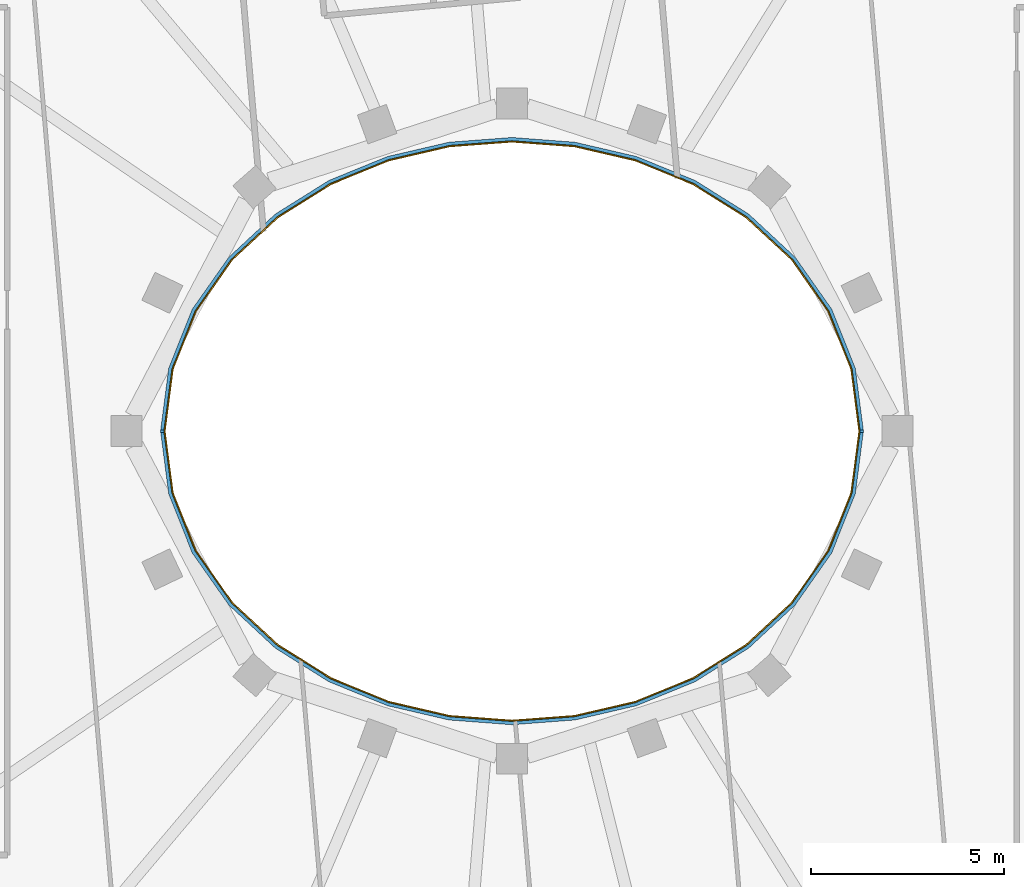
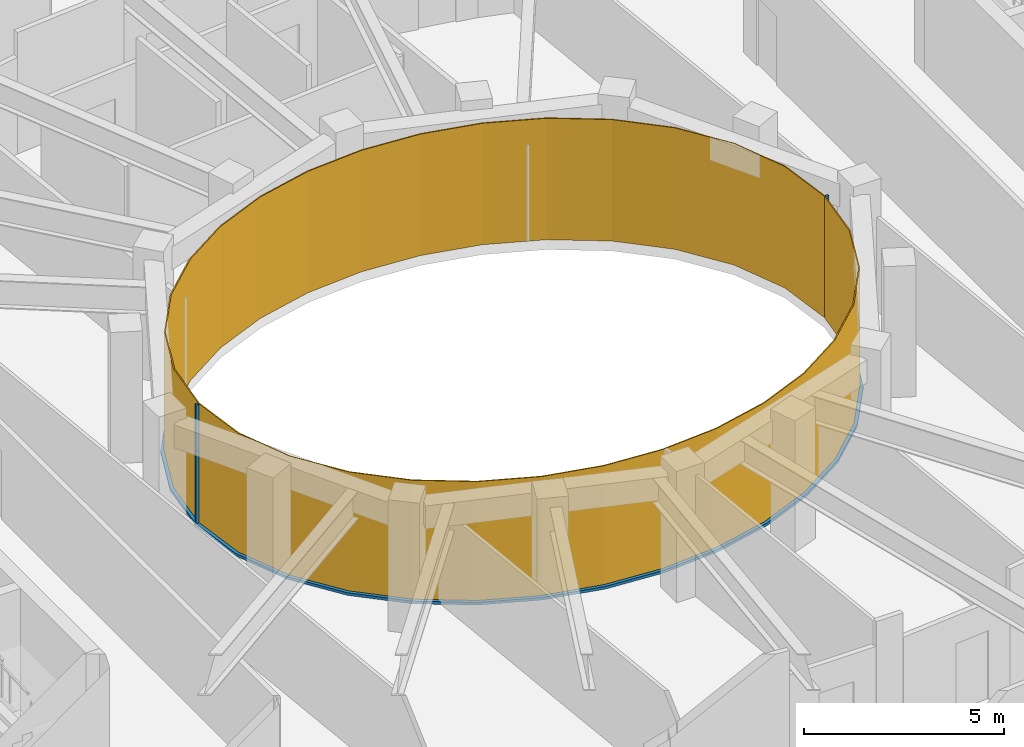
# One storey, part 9 of 14: 4 members, 2 curtain walls.
"""IFC4 building model written with IfcOpenShell, lengths in metres."""

from ifc_helpers import new_model, si_unit, direction, frame, origin, origin_2d, place, context, subcontext, project, spatial, polyline, rectangle, outline, extrude, material, layer, layer_set, material_profile, profile_set, type_object, element, aggregate, save


model = new_model("IFC4")

# Units and contexts
model_context = context("Model", 3, precision=1e-05, world=origin(), true_north=direction((0.0, 1.0)))
body_context = subcontext(model_context, "Body", "Model", "MODEL_VIEW")
ifc_project = project(units=[si_unit("LENGTHUNIT", "METRE"), si_unit("AREAUNIT", "SQUARE_METRE"), si_unit("VOLUMEUNIT", "CUBIC_METRE"), si_unit("PLANEANGLEUNIT", "RADIAN"), si_unit("MASSUNIT", "GRAM", prefix="KILO")], contexts=[model_context])

# Member
ifc_material_1 = material(Name="Steel S355 fire-resisting frame", Category="steel")
ifc_material_profile = material_profile(ifc_material_1, rectangle(XDim=0.090087890625, YDim=0.06005859375, at=origin_2d()), Name="90x60")
ifc_profile_set = profile_set([ifc_material_profile], Name="Steel S355 fire-resisting frame")
member_type_1 = type_object("IfcMemberType", Name="ENV-MULLION-W-90", PredefinedType="MULLION", material=ifc_profile_set)
site_placement = place(None, origin())
building_placement = place(site_placement, origin())
storey_placement = place(building_placement, frame((0.0, 0.0, 339.0)))
member_1_placement = place(storey_placement, frame((9.076904296875, 0.0, 0.0), z_axis=(0.0, 0.0, 1.0), x_axis=(1.0, 0.0, 0.0)))
member_1 = element("IfcMember", 1, at=member_1_placement, type_object=member_type_1, Name="Mullion W well vertex 01", PredefinedType="MULLION", context=body_context, shape_type="SweptSolid", body=[
    extrude(rectangle(XDim=0.090087890625, YDim=0.06005859375, at=origin_2d()), origin(), (0.0, 0.0, 1.0), 3.699951171875),
])

member_2_placement = place(storey_placement, frame((-9.076904296875, 0.0, 0.0), z_axis=(0.0, 0.0, 1.0), x_axis=(-1.0, 0.0, 0.0)))
member_2 = element("IfcMember", 2, at=member_2_placement, type_object=member_type_1, Name="Mullion W well vertex 17", PredefinedType="MULLION", context=body_context, shape_type="SweptSolid", body=[
    extrude(rectangle(XDim=0.090087890625, YDim=0.06005859375, at=origin_2d()), origin(), (0.0, 0.0, 1.0), 3.699951171875),
])

ifc_material_2 = material(Name="Steel S355 fire-resisting frame", Category="steel")
member_type_2 = type_object("IfcMemberType", Name="ENV-TRANSOM-W", PredefinedType="USERDEFINED", material=ifc_material_2)
member_3_placement = place(storey_placement, origin())
member_3 = element("IfcMember", 3, at=member_3_placement, type_object=member_type_2, Name="Transom W well 01-17", ObjectType="TRANSOM", PredefinedType="USERDEFINED", context=body_context, shape_type="SweptSolid", body=[
    extrude(outline(polyline([(9.119384765625, 0.02783203125), (8.910400390625, 1.63623046875), (8.29833984375, 3.167236328125), (7.35107421875, 4.5146484375), (6.1455078125, 5.6337890625), (4.75341796875, 6.50634765625), (3.233642578125, 7.127685546875), (1.635498046875, 7.498779296875), (0.0, 7.622314453125), (-1.635498046875, 7.498779296875), (-3.233642578125, 7.127685546875), (-4.75341796875, 6.50634765625), (-6.1455078125, 5.6337890625), (-7.35107421875, 4.5146484375), (-8.29833984375, 3.167236328125), (-8.910400390625, 1.63623046875), (-9.119384765625, 0.02783203125), (-9.02880859375, 0.02783203125), (-8.822509765625, 1.61328125), (-8.21875, 3.124267578125), (-7.282958984375, 4.455078125), (-6.090576171875, 5.56201171875), (-4.712158203125, 6.426025390625), (-3.206298828125, 7.04150390625), (-1.621826171875, 7.40966796875), (0.0, 7.531982421875), (1.621826171875, 7.40966796875), (3.206298828125, 7.04150390625), (4.712158203125, 6.426025390625), (6.090576171875, 5.56201171875), (7.282958984375, 4.455078125), (8.21875, 3.124267578125), (8.822509765625, 1.61328125), (9.02880859375, 0.02783203125), (9.119384765625, 0.02783203125)])), origin(), (0.0, 0.0, 1.0), 0.080078125),
])

member_4_placement = place(storey_placement, origin())
member_4 = element("IfcMember", 4, at=member_4_placement, type_object=member_type_2, Name="Transom W well 17-01", ObjectType="TRANSOM", PredefinedType="USERDEFINED", context=body_context, shape_type="SweptSolid", body=[
    extrude(outline(polyline([(-9.119384765625, -0.02783203125), (-8.910400390625, -1.63623046875), (-8.29833984375, -3.167236328125), (-7.35107421875, -4.5146484375), (-6.1455078125, -5.6337890625), (-4.75341796875, -6.50634765625), (-3.233642578125, -7.127685546875), (-1.635498046875, -7.498779296875), (0.0, -7.622314453125), (1.635498046875, -7.498779296875), (3.233642578125, -7.127685546875), (4.75341796875, -6.50634765625), (6.1455078125, -5.6337890625), (7.35107421875, -4.5146484375), (8.29833984375, -3.167236328125), (8.910400390625, -1.63623046875), (9.119384765625, -0.02783203125), (9.02880859375, -0.02783203125), (8.822509765625, -1.61328125), (8.21875, -3.124267578125), (7.282958984375, -4.455078125), (6.090576171875, -5.56201171875), (4.712158203125, -6.426025390625), (3.206298828125, -7.04150390625), (1.621826171875, -7.40966796875), (0.0, -7.531982421875), (-1.621826171875, -7.40966796875), (-3.206298828125, -7.04150390625), (-4.712158203125, -6.426025390625), (-6.090576171875, -5.56201171875), (-7.282958984375, -4.455078125), (-8.21875, -3.124267578125), (-8.822509765625, -1.61328125), (-9.02880859375, -0.02783203125), (-9.119384765625, -0.02783203125)])), origin(), (0.0, 0.0, 1.0), 0.080078125),
])

# Site, building, storey
site = spatial("IfcSite", under=ifc_project, at=site_placement, CompositionType="ELEMENT")
building = spatial("IfcBuilding", under=site, at=building_placement, Name="Noorbagh Ring Tower", CompositionType="ELEMENT")
storey = spatial("IfcBuildingStorey", under=building, at=storey_placement, Name="L74", CompositionType="ELEMENT", Elevation=339.0)

# Curtain wall
ifc_material_3 = material(Name="Glass fire-resisting E60 laminated", Category="glass")
ifc_layer = layer(ifc_material_3, 0.031982421875)
ifc_layer_set = layer_set([ifc_layer], Name="Glass fire-resisting E60 laminated")
curtain_wall_type = type_object("IfcCurtainWallType", Name="ENV-CW-W", PredefinedType="NOTDEFINED", material=ifc_layer_set)
curtain_wall_1_placement = place(storey_placement, origin())
curtain_wall_1 = element("IfcCurtainWall", 5, at=curtain_wall_1_placement, inside=storey, type_object=curtain_wall_type, Name="Curtain wall W W01", PredefinedType="NOTDEFINED", context=body_context, shape_type="SweptSolid", body=[
    extrude(outline(polyline([(9.0322265625, 0.0), (8.822509765625, 1.61328125), (8.21875, 3.124267578125), (7.282958984375, 4.455078125), (6.090576171875, 5.56201171875), (4.712158203125, 6.426025390625), (3.206298828125, 7.04150390625), (1.621826171875, 7.40966796875), (0.0, 7.531982421875), (-1.621826171875, 7.40966796875), (-3.206298828125, 7.04150390625), (-4.712158203125, 6.426025390625), (-6.090576171875, 5.56201171875), (-7.282958984375, 4.455078125), (-8.21875, 3.124267578125), (-8.822509765625, 1.61328125), (-9.0322265625, 0.0), (-9.0, 0.0), (-8.79150390625, 1.605224609375), (-8.1904296875, 3.10888671875), (-7.2587890625, 4.43408203125), (-6.071044921875, 5.53662109375), (-4.697509765625, 6.3974609375), (-3.196533203125, 7.010986328125), (-1.6171875, 7.3779296875), (0.0, 7.5), (1.6171875, 7.3779296875), (3.196533203125, 7.010986328125), (4.697509765625, 6.3974609375), (6.071044921875, 5.53662109375), (7.2587890625, 4.43408203125), (8.1904296875, 3.10888671875), (8.79150390625, 1.605224609375), (9.0, 0.0), (9.0322265625, 0.0)])), origin(), (0.0, 0.0, 1.0), 3.699951171875),
])

aggregate(curtain_wall_1, [member_1, member_2, member_3])

curtain_wall_2_placement = place(storey_placement, origin())
curtain_wall_2 = element("IfcCurtainWall", 6, at=curtain_wall_2_placement, inside=storey, type_object=curtain_wall_type, Name="Curtain wall W W17", PredefinedType="NOTDEFINED", context=body_context, shape_type="SweptSolid", body=[
    extrude(outline(polyline([(-9.0322265625, 0.0), (-8.822509765625, -1.61328125), (-8.21875, -3.124267578125), (-7.282958984375, -4.455078125), (-6.090576171875, -5.56201171875), (-4.712158203125, -6.426025390625), (-3.206298828125, -7.04150390625), (-1.621826171875, -7.40966796875), (0.0, -7.531982421875), (1.621826171875, -7.40966796875), (3.206298828125, -7.04150390625), (4.712158203125, -6.426025390625), (6.090576171875, -5.56201171875), (7.282958984375, -4.455078125), (8.21875, -3.124267578125), (8.822509765625, -1.61328125), (9.0322265625, 0.0), (9.0, 0.0), (8.79150390625, -1.605224609375), (8.1904296875, -3.10888671875), (7.2587890625, -4.43408203125), (6.071044921875, -5.53662109375), (4.697509765625, -6.3974609375), (3.196533203125, -7.010986328125), (1.6171875, -7.3779296875), (0.0, -7.5), (-1.6171875, -7.3779296875), (-3.196533203125, -7.010986328125), (-4.697509765625, -6.3974609375), (-6.071044921875, -5.53662109375), (-7.2587890625, -4.43408203125), (-8.1904296875, -3.10888671875), (-8.79150390625, -1.605224609375), (-9.0, 0.0), (-9.0322265625, 0.0)])), origin(), (0.0, 0.0, 1.0), 3.699951171875),
])

aggregate(curtain_wall_2, [member_4])

save(model, "model.ifc")
